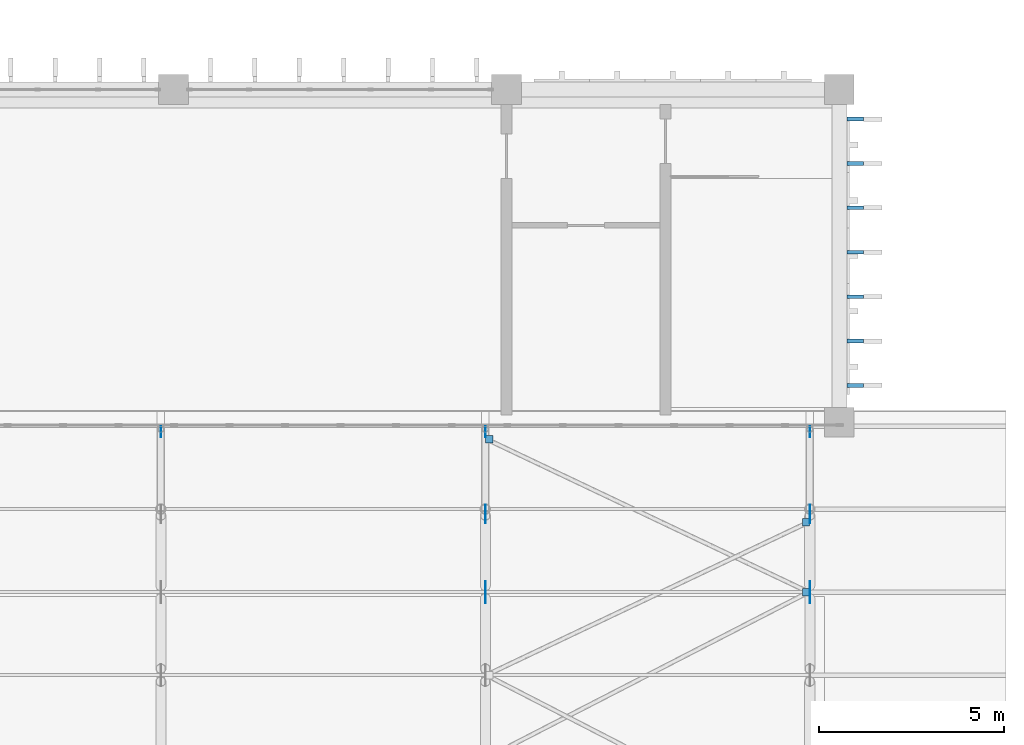
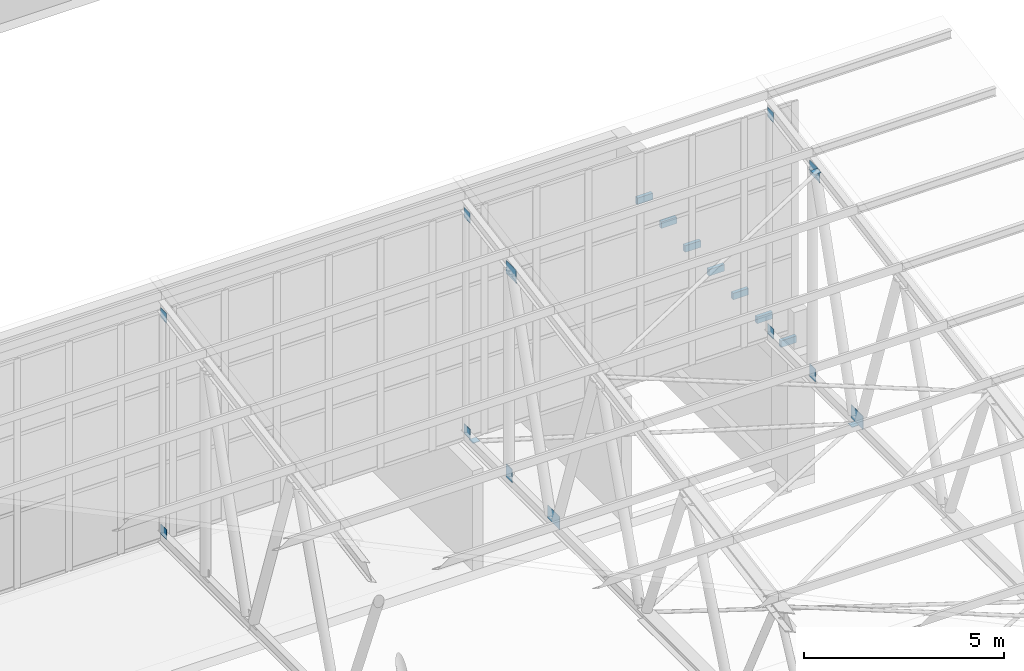
# One storey, part 156 of 185: 22 discrete accessories.
"""IFC4 building model written with IfcOpenShell, lengths in metres."""

from ifc_helpers import new_model, si_unit, direction, frame, origin, origin_2d, place, context, subcontext, project, spatial, rectangle, extrude, material, layer, layer_set, type_object, element, save


model = new_model("IFC4")

# Units and contexts
model_context = context("Model", 3, precision=1e-05, world=origin(), true_north=direction((0.0, 1.0)))
body_context = subcontext(model_context, "Body", "Model", "MODEL_VIEW")
ifc_project = project(units=[si_unit("LENGTHUNIT", "METRE"), si_unit("AREAUNIT", "SQUARE_METRE"), si_unit("VOLUMEUNIT", "CUBIC_METRE"), si_unit("PLANEANGLEUNIT", "RADIAN"), si_unit("MASSUNIT", "GRAM", prefix="KILO")], contexts=[model_context])

# Site, building, storey
site_placement = place(None, origin())
site = spatial("IfcSite", under=ifc_project, at=site_placement, CompositionType="ELEMENT")
building_placement = place(site_placement, origin())
building = spatial("IfcBuilding", under=site, at=building_placement, Name="Opaline Strait Convention Centre", CompositionType="ELEMENT")
storey_placement = place(building_placement, frame((0.0, 0.0, 6.0)))
storey = spatial("IfcBuildingStorey", under=building, at=storey_placement, Name="L01", CompositionType="ELEMENT", Elevation=6.0)

# Discrete accessories
ifc_material_1 = material(Name="Steel Q355B", Category="steel")
ifc_layer_1 = layer(ifc_material_1, 0.014892578125)
ifc_layer_set_1 = layer_set([ifc_layer_1], Name="Steel Q355B")
discrete_accessory_type_1 = type_object("IfcDiscreteAccessoryType", Name="Brace gusset plate 200 x 200 x 15", PredefinedType="USERDEFINED", material=ifc_layer_set_1)
for number, where, z_axis, x_axis, name in (
    (1, (341.531982421875, 62.550048828125, 4.49267578125), (0.0, 0.0, 1.0), (1.0, 0.0, 0.0), "BNP8 roof brace gusset plate end bay 2 bottom plane"),
    (2, (350.096435546875, 58.41259765625, 4.49267578125), (0.0, 0.0, 1.0), (1.0, 0.0, 0.0), "BNP8 roof brace gusset plate end bay 2 bottom plane"),
    (3, (350.096435546875, 60.30615234375, 11.0654296875), (0.0, 0.0, 1.0), (1.0, 0.0, 0.0), "BNP8 roof brace gusset plate end bay 2 top plane"),
):
    element("IfcDiscreteAccessory", number, at=place(storey_placement, frame(where, z_axis=z_axis, x_axis=x_axis)), inside=storey, type_object=discrete_accessory_type_1, Name=name, ObjectType="NODE HUB", PredefinedType="USERDEFINED", context=body_context, shape_type="SweptSolid", body=[
        extrude(rectangle(XDim=0.199951171875, YDim=0.199951171875, at=origin_2d()), origin(), (0.0, 0.0, 1.0), 0.014892578125),
    ])
ifc_material_2 = material(Name="Stainless steel 304", Category="steel")
discrete_accessory_type_2 = type_object("IfcDiscreteAccessoryType", Name="Storm fin bracket 100", PredefinedType="BRACKET", material=ifc_material_2)
for number, where, z_axis, x_axis, name in (
    (4, (351.425048828125, 64.0, 3.10009765625), (0.0, 0.0, 1.0), (1.0, 0.0, 0.0), "Storm fin bracket east 89"),
    (5, (351.425048828125, 65.199951171875, 3.10009765625), (0.0, 0.0, 1.0), (1.0, 0.0, 0.0), "Storm fin bracket east 90"),
    (6, (351.425048828125, 66.39990234375, 3.10009765625), (0.0, 0.0, 1.0), (1.0, 0.0, 0.0), "Storm fin bracket east 91"),
    (7, (351.425048828125, 67.60009765625, 3.10009765625), (0.0, 0.0, 1.0), (1.0, 0.0, 0.0), "Storm fin bracket east 92"),
    (8, (351.425048828125, 68.800048828125, 3.10009765625), (0.0, 0.0, 1.0), (1.0, 0.0, 0.0), "Storm fin bracket east 93"),
    (9, (351.425048828125, 70.0, 3.10009765625), (0.0, 0.0, 1.0), (1.0, 0.0, 0.0), "Storm fin bracket east 94"),
    (10, (351.425048828125, 71.199951171875, 3.10009765625), (0.0, 0.0, 1.0), (1.0, 0.0, 0.0), "Storm fin bracket east 95"),
):
    element("IfcDiscreteAccessory", number, at=place(storey_placement, frame(where, z_axis=z_axis, x_axis=x_axis)), inside=storey, type_object=discrete_accessory_type_2, Name=name, PredefinedType="BRACKET", context=body_context, shape_type="SweptSolid", body=[
        extrude(rectangle(XDim=0.449951171875, YDim=0.10009765625, at=origin_2d()), origin(), (0.0, 0.0, 1.0), 0.199951171875),
    ])
ifc_layer_2 = layer(ifc_material_1, 0.014892578125)
ifc_layer_set_2 = layer_set([ifc_layer_2], Name="Steel Q355B")
discrete_accessory_type_3 = type_object("IfcDiscreteAccessoryType", Name="Truss node plate 300 x 300 x 15", PredefinedType="USERDEFINED", material=ifc_layer_set_2)
for number, where, z_axis, x_axis, name in (
    (11, (332.656982421875, 62.7451171875, 4.544921875), (0.0, 0.0, 1.0), (1.0, 0.0, 0.0), "BNP5 truss node plate line 6 bottom node"),
    (12, (332.656982421875, 62.7451171875, 11.1552734375), (0.0, 0.0, 1.0), (1.0, 0.0, 0.0), "BNP5 truss node plate line 6 top node"),
    (13, (341.4287109375, 62.7451171875, 4.544921875), (0.0, 0.0, 1.0), (1.0, 0.0, 0.0), "BNP5 truss node plate line 7 bottom node"),
    (14, (341.4287109375, 62.7451171875, 11.1552734375), (0.0, 0.0, 1.0), (1.0, 0.0, 0.0), "BNP5 truss node plate line 7 top node"),
    (15, (350.199951171875, 62.7451171875, 4.544921875), (0.0, 0.0, 1.0), (1.0, 0.0, 0.0), "BNP5 truss node plate line 8 bottom node"),
    (16, (350.199951171875, 62.7451171875, 11.1552734375), (0.0, 0.0, 1.0), (1.0, 0.0, 0.0), "BNP5 truss node plate line 8 top node"),
):
    element("IfcDiscreteAccessory", number, at=place(storey_placement, frame(where, z_axis=z_axis, x_axis=x_axis)), inside=storey, type_object=discrete_accessory_type_3, Name=name, ObjectType="NODE HUB", PredefinedType="USERDEFINED", context=body_context, shape_type="SweptSolid", body=[
        extrude(rectangle(XDim=0.014892578125, YDim=0.300048828125, at=origin_2d()), origin(), (0.0, 0.0, 1.0), 0.300048828125),
    ])
ifc_layer_3 = layer(ifc_material_1, 0.014892578125)
ifc_layer_set_3 = layer_set([ifc_layer_3], Name="Steel Q355B")
discrete_accessory_type_4 = type_object("IfcDiscreteAccessoryType", Name="Truss node plate 300 x 400 x 15", PredefinedType="USERDEFINED", material=ifc_layer_set_3)
for number, where, z_axis, x_axis, name in (
    (17, (341.4287109375, 60.626220703125, 4.4951171875), (0.0, 0.0, 1.0), (1.0, 0.0, 0.0), "BNP4 truss node plate line 7 bottom node"),
    (18, (350.199951171875, 60.626220703125, 4.4951171875), (0.0, 0.0, 1.0), (1.0, 0.0, 0.0), "BNP4 truss node plate line 8 bottom node"),
):
    element("IfcDiscreteAccessory", number, at=place(storey_placement, frame(where, z_axis=z_axis, x_axis=x_axis)), inside=storey, type_object=discrete_accessory_type_4, Name=name, ObjectType="NODE HUB", PredefinedType="USERDEFINED", context=body_context, shape_type="SweptSolid", body=[
        extrude(rectangle(XDim=0.014892578125, YDim=0.300048828125, at=origin_2d()), origin(), (0.0, 0.0, 1.0), 0.39990234375),
    ])
ifc_layer_4 = layer(ifc_material_1, 0.014892578125)
ifc_layer_set_4 = layer_set([ifc_layer_4], Name="Steel Q355B")
discrete_accessory_type_5 = type_object("IfcDiscreteAccessoryType", Name="Truss node plate 500 x 400 x 15", PredefinedType="USERDEFINED", material=ifc_layer_set_4)
for number, where, z_axis, x_axis, name in (
    (19, (341.4287109375, 60.5263671875, 10.7138671875), (0.0, 0.0, 1.0), (1.0, 0.0, 0.0), "BNP7 truss node plate line 7 top node"),
    (20, (350.199951171875, 60.5263671875, 10.7138671875), (0.0, 0.0, 1.0), (1.0, 0.0, 0.0), "BNP7 truss node plate line 8 top node"),
):
    element("IfcDiscreteAccessory", number, at=place(storey_placement, frame(where, z_axis=z_axis, x_axis=x_axis)), inside=storey, type_object=discrete_accessory_type_5, Name=name, ObjectType="NODE HUB", PredefinedType="USERDEFINED", context=body_context, shape_type="SweptSolid", body=[
        extrude(rectangle(XDim=0.014892578125, YDim=0.5, at=origin_2d()), origin(), (0.0, 0.0, 1.0), 0.39990234375),
    ])
ifc_layer_5 = layer(ifc_material_1, 0.014892578125)
ifc_layer_set_5 = layer_set([ifc_layer_5], Name="Steel Q355B")
discrete_accessory_type_6 = type_object("IfcDiscreteAccessoryType", Name="Truss node plate 600 x 400 x 15", PredefinedType="USERDEFINED", material=ifc_layer_set_5)
for number, where, z_axis, x_axis, name in (
    (21, (341.4287109375, 58.4052734375, 4.4951171875), (0.0, 0.0, 1.0), (1.0, 0.0, 0.0), "BNP3 truss node plate line 7 bottom node"),
    (22, (350.199951171875, 58.4052734375, 4.4951171875), (0.0, 0.0, 1.0), (1.0, 0.0, 0.0), "BNP3 truss node plate line 8 bottom node"),
):
    element("IfcDiscreteAccessory", number, at=place(storey_placement, frame(where, z_axis=z_axis, x_axis=x_axis)), inside=storey, type_object=discrete_accessory_type_6, Name=name, ObjectType="NODE HUB", PredefinedType="USERDEFINED", context=body_context, shape_type="SweptSolid", body=[
        extrude(rectangle(XDim=0.014892578125, YDim=0.60009765625, at=origin_2d()), origin(), (0.0, 0.0, 1.0), 0.39990234375),
    ])

save(model, "model.ifc")
